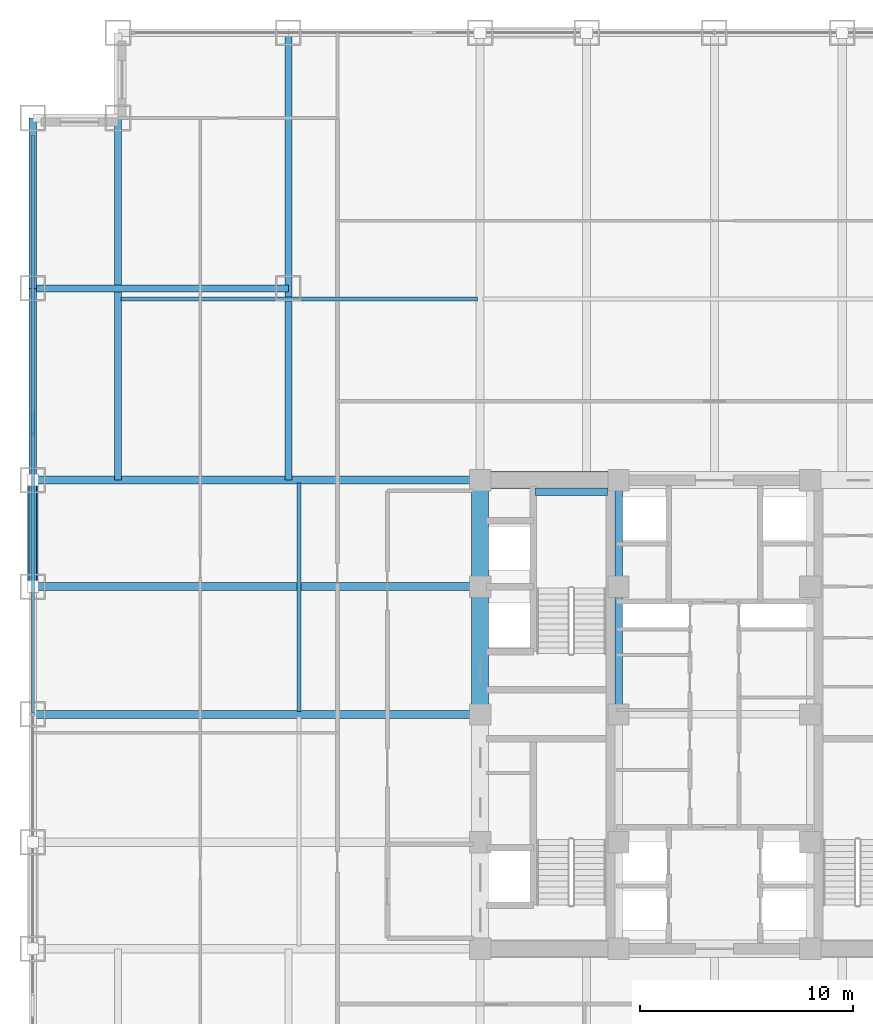
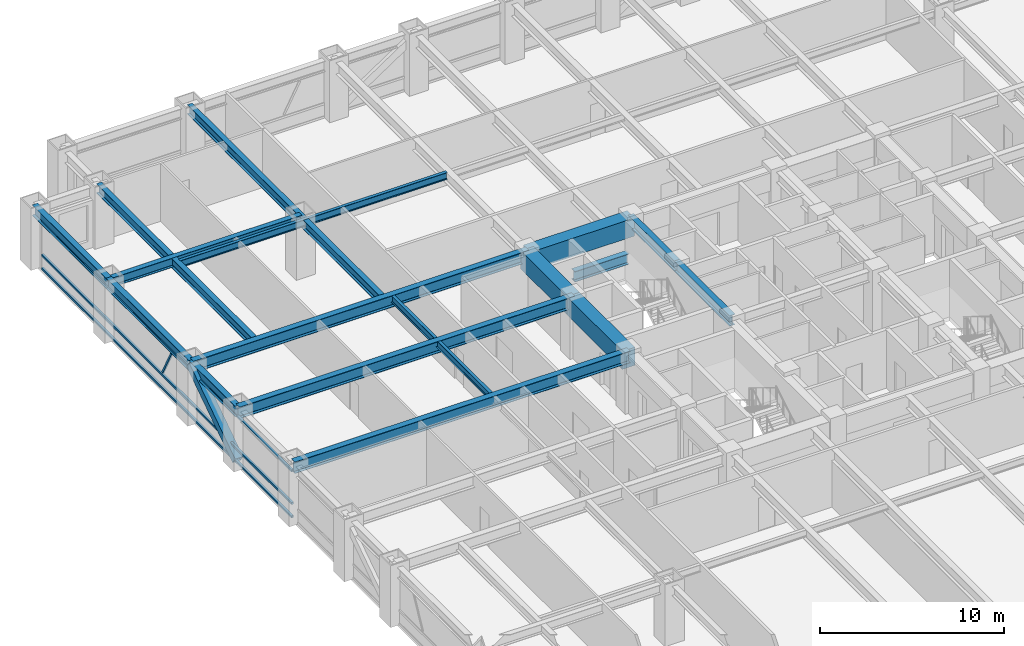
# One storey, part 9 of 27: 17 beams, 5 members, 1 element without a shape of its own.
"""IFC4 building model written with IfcOpenShell, lengths in metres."""

from ifc_helpers import new_model, si_unit, direction, frame, origin, origin_2d, place, context, subcontext, project, spatial, rectangle, hollow_rectangle, i_section, extrude, source, transform, mapped, material, material_profile, profile_set, type_object, element, aggregate, save


model = new_model("IFC4")

# Units and contexts
model_context = context("Model", 3, precision=1e-05, world=origin(), true_north=direction((0.0, 1.0)))
body_context = subcontext(model_context, "Body", "Model", "MODEL_VIEW")
ifc_project = project(units=[si_unit("LENGTHUNIT", "METRE"), si_unit("AREAUNIT", "SQUARE_METRE"), si_unit("VOLUMEUNIT", "CUBIC_METRE"), si_unit("PLANEANGLEUNIT", "RADIAN"), si_unit("MASSUNIT", "GRAM", prefix="KILO")], contexts=[model_context])

# Site, building, storey
site_placement = place(None, origin())
site = spatial("IfcSite", under=ifc_project, at=site_placement, CompositionType="ELEMENT")
building_placement = place(site_placement, origin())
building = spatial("IfcBuilding", under=site, at=building_placement, Name="Khorayat Bourse Tower", CompositionType="ELEMENT")
storey_placement = place(building_placement, frame((0.0, 0.0, 103.699951171875)))
storey = spatial("IfcBuildingStorey", under=building, at=storey_placement, Name="L23", CompositionType="ELEMENT", Elevation=103.699951171875)

# Beams
ifc_material_1 = material(Name="Concrete C72/90", Category="concrete")
ifc_material_profile_1 = material_profile(ifc_material_1, rectangle(XDim=0.800048828125, YDim=1.199951171875, at=origin_2d()), Name="RC 800x1200")
ifc_profile_set_1 = profile_set([ifc_material_profile_1], Name="Concrete C72/90")
beam_type_1 = type_object("IfcBeamType", Name="BM-COUP-1200", PredefinedType="BEAM", material=ifc_profile_set_1)
shared_shape_1 = source(origin(), body_context, "Body", "SweptSolid", [
    extrude(rectangle(XDim=0.800048828125, YDim=1.199951171875, at=origin_2d()), origin(), (0.0, 0.0, 1.0), 5.0),
])
beam_1_placement = place(storey_placement, frame((-11.0, 6.0, 3.239990234375), z_axis=(0.0, 1.0, 0.0), x_axis=(-1.0, 0.0, 0.0)))
element("IfcBeam", 1, at=beam_1_placement, inside=storey, type_object=beam_type_1, Name="L23 BM-COUP-1200 BM-L23-CRX-04", PredefinedType="BEAM", context=body_context, shape_type="MappedRepresentation", body=[
    mapped(shared_shape_1, transform((0.0, 0.0, 0.0), scale=1.0)),
])
shared_shape_2 = source(origin(), body_context, "Body", "SweptSolid", [
    extrude(rectangle(XDim=0.800048828125, YDim=1.199951171875, at=origin_2d()), origin(), (0.0, 0.0, 1.0), 6.0),
])
beam_2_placement = place(storey_placement, frame((-11.0, 0.0, 3.239990234375), z_axis=(0.0, 1.0, 0.0), x_axis=(-1.0, 0.0, 0.0)))
element("IfcBeam", 2, at=beam_2_placement, inside=storey, type_object=beam_type_1, Name="L23 BM-COUP-1200 BM-L23-CRX-03", PredefinedType="BEAM", context=body_context, shape_type="MappedRepresentation", body=[
    mapped(shared_shape_2, transform((0.0, 0.0, 0.0), scale=1.0)),
])
ifc_material_2 = material(Name="Steel ASTM A992 Grade 50", Category="steel")
ifc_material_profile_2 = material_profile(ifc_material_2, i_section(OverallWidth=0.35498046875, OverallDepth=0.695068359375, WebThickness=0.015380859375, FlangeThickness=0.02490234375, FilletRadius=0.01806640625, at=origin_2d()), Name="W690X217")
ifc_profile_set_2 = profile_set([ifc_material_profile_2], Name="Steel ASTM A992 Grade 50")
beam_type_2 = type_object("IfcBeamType", Name="BM-GIRD-690", PredefinedType="BEAM", material=ifc_profile_set_2)
shared_shape_3 = source(origin(), body_context, "Body", "SweptSolid", [
    extrude(i_section(OverallWidth=0.35498046875, OverallDepth=0.695068359375, WebThickness=0.015380859375, FlangeThickness=0.02490234375, FilletRadius=0.01806640625, at=origin_2d()), origin(), (0.0, 0.0, 1.0), 5.0),
])
beam_3_placement = place(storey_placement, frame((-4.5, 6.0, 3.492431640625), z_axis=(0.0, 1.0, 0.0), x_axis=(-1.0, 0.0, 0.0)))
element("IfcBeam", 3, at=beam_3_placement, inside=storey, type_object=beam_type_2, Name="L23 BM-GIRD-690 BM-L23-CRX-08", PredefinedType="BEAM", context=body_context, shape_type="MappedRepresentation", body=[
    mapped(shared_shape_3, transform((0.0, 0.0, 0.0), scale=1.0)),
])
shared_shape_4 = source(origin(), body_context, "Body", "SweptSolid", [
    extrude(i_section(OverallWidth=0.35498046875, OverallDepth=0.695068359375, WebThickness=0.015380859375, FlangeThickness=0.02490234375, FilletRadius=0.01806640625, at=origin_2d()), origin(), (0.0, 0.0, 1.0), 6.0),
])
beam_4_placement = place(storey_placement, frame((-4.5, 0.0, 3.492431640625), z_axis=(0.0, 1.0, 0.0), x_axis=(-1.0, 0.0, 0.0)))
element("IfcBeam", 4, at=beam_4_placement, inside=storey, type_object=beam_type_2, Name="L23 BM-GIRD-690 BM-L23-CRX-07", PredefinedType="BEAM", context=body_context, shape_type="MappedRepresentation", body=[
    mapped(shared_shape_4, transform((0.0, 0.0, 0.0), scale=1.0)),
])
shared_shape_5 = source(origin(), body_context, "Body", "SweptSolid", [
    extrude(rectangle(XDim=0.800048828125, YDim=1.199951171875, at=origin_2d()), origin(), (0.0, 0.0, 1.0), 6.5),
])
beam_5_placement = place(storey_placement, frame((-11.0, 11.0, 3.239990234375), z_axis=(1.0, 0.0, 0.0), x_axis=(0.0, 1.0, 0.0)))
element("IfcBeam", 5, at=beam_5_placement, inside=storey, type_object=beam_type_1, Name="L23 BM-COUP-1200 BM-L23-CRY-20", PredefinedType="BEAM", context=body_context, shape_type="MappedRepresentation", body=[
    mapped(shared_shape_5, transform((0.0, 0.0, 0.0), scale=1.0)),
])
shared_shape_6 = source(origin(), body_context, "Body", "SweptSolid", [
    extrude(i_section(OverallWidth=0.35498046875, OverallDepth=0.695068359375, WebThickness=0.015380859375, FlangeThickness=0.02490234375, FilletRadius=0.01806640625, at=origin_2d()), origin(), (0.0, 0.0, 1.0), 3.39990234375),
])
beam_6_placement = place(storey_placement, frame((-8.419921875, 10.449951171875, 1.50244140625), z_axis=(1.0, 0.0, 0.0), x_axis=(0.0, 1.0, 0.0)))
element("IfcBeam", 6, at=beam_6_placement, inside=storey, type_object=beam_type_2, Name="L23 BM-GIRD-690 BM-L23-ST2L", PredefinedType="BEAM", context=body_context, shape_type="MappedRepresentation", body=[
    mapped(shared_shape_6, transform((0.0, 0.0, 0.0), scale=1.0)),
])
ifc_material_profile_3 = material_profile(ifc_material_2, i_section(OverallWidth=0.35498046875, OverallDepth=0.695068359375, WebThickness=0.015380859375, FlangeThickness=0.02490234375, FilletRadius=0.01806640625, at=origin_2d()), Name="W690X217")
ifc_profile_set_3 = profile_set([ifc_material_profile_3], Name="Steel ASTM A992 Grade 50")
beam_type_3 = type_object("IfcBeamType", Name="BM-SPAN-690", PredefinedType="SPANDREL", material=ifc_profile_set_3)
shared_shape_7 = source(origin(), body_context, "Body", "SweptSolid", [
    extrude(i_section(OverallWidth=0.35498046875, OverallDepth=0.695068359375, WebThickness=0.015380859375, FlangeThickness=0.02490234375, FilletRadius=0.01806640625, at=origin_2d()), origin(), (0.0, 0.0, 1.0), 9.0),
])
beam_7_placement = place(storey_placement, frame((-32.0, 11.0, 3.492431640625), z_axis=(0.0, 1.0, 0.0), x_axis=(-1.0, 0.0, 0.0)))
element("IfcBeam", 7, at=beam_7_placement, inside=storey, type_object=beam_type_3, Name="L23 BM-SPAN-690 BM-L23-SPN-055", PredefinedType="SPANDREL", context=body_context, shape_type="MappedRepresentation", body=[
    mapped(shared_shape_7, transform((0.0, 0.0, 0.0), scale=1.0)),
])
shared_shape_8 = source(origin(), body_context, "Body", "SweptSolid", [
    extrude(i_section(OverallWidth=0.35498046875, OverallDepth=0.695068359375, WebThickness=0.015380859375, FlangeThickness=0.02490234375, FilletRadius=0.01806640625, at=origin_2d()), origin(), (0.0, 0.0, 1.0), 5.0),
])
beam_8_placement = place(storey_placement, frame((-32.0, 6.0, 3.492431640625), z_axis=(0.0, 1.0, 0.0), x_axis=(-1.0, 0.0, 0.0)))
element("IfcBeam", 8, at=beam_8_placement, inside=storey, type_object=beam_type_3, Name="L23 BM-SPAN-690 BM-L23-SPN-056", PredefinedType="SPANDREL", context=body_context, shape_type="MappedRepresentation", body=[
    mapped(shared_shape_8, transform((0.0, 0.0, 0.0), scale=1.0)),
])
ifc_material_profile_4 = material_profile(ifc_material_2, i_section(OverallWidth=0.324951171875, OverallDepth=0.615966796875, WebThickness=0.013916015625, FlangeThickness=0.021484375, FilletRadius=0.01611328125, at=origin_2d()), Name="W610X174")
ifc_profile_set_4 = profile_set([ifc_material_profile_4], Name="Steel ASTM A992 Grade 50")
beam_type_4 = type_object("IfcBeamType", Name="BM-GIRD-610", PredefinedType="BEAM", material=ifc_profile_set_4)
shared_shape_9 = source(origin(), body_context, "Body", "SweptSolid", [
    extrude(i_section(OverallWidth=0.324951171875, OverallDepth=0.615966796875, WebThickness=0.013916015625, FlangeThickness=0.021484375, FilletRadius=0.01611328125, at=origin_2d()), origin(), (0.0, 0.0, 1.0), 21.0),
])
beam_9_placement = place(storey_placement, frame((-20.0, 11.0, 3.531982421875), z_axis=(0.0, 1.0, 0.0), x_axis=(-1.0, 0.0, 0.0)))
element("IfcBeam", 9, at=beam_9_placement, inside=storey, type_object=beam_type_4, Name="L23 BM-GIRD-610 BM-L23-CNRY-085", PredefinedType="BEAM", context=body_context, shape_type="MappedRepresentation", body=[
    mapped(shared_shape_9, transform((0.0, 0.0, 0.0), scale=1.0)),
])
shared_shape_10 = source(origin(), body_context, "Body", "SweptSolid", [
    extrude(i_section(OverallWidth=0.324951171875, OverallDepth=0.615966796875, WebThickness=0.013916015625, FlangeThickness=0.021484375, FilletRadius=0.01611328125, at=origin_2d()), origin(), (0.0, 0.0, 1.0), 12.0),
])
beam_10_placement = place(storey_placement, frame((-32.0, 20.0, 3.531982421875), z_axis=(1.0, 0.0, 0.0), x_axis=(0.0, 1.0, 0.0)))
element("IfcBeam", 10, at=beam_10_placement, inside=storey, type_object=beam_type_4, Name="L23 BM-GIRD-610 BM-L23-CNRX-095", PredefinedType="BEAM", context=body_context, shape_type="MappedRepresentation", body=[
    mapped(shared_shape_10, transform((0.0, 0.0, 0.0), scale=1.0)),
])
ifc_material_profile_5 = material_profile(ifc_material_2, i_section(OverallWidth=0.194091796875, OverallDepth=0.468994140625, WebThickness=0.0126953125, FlangeThickness=0.0205078125, FilletRadius=0.012939453125, at=origin_2d()), Name="W460X106")
ifc_profile_set_5 = profile_set([ifc_material_profile_5], Name="Steel ASTM A992 Grade 50")
beam_type_5 = type_object("IfcBeamType", Name="BM-JOIST-460", PredefinedType="JOIST", material=ifc_profile_set_5)
shared_shape_11 = source(origin(), body_context, "Body", "SweptSolid", [
    extrude(i_section(OverallWidth=0.194091796875, OverallDepth=0.468994140625, WebThickness=0.0126953125, FlangeThickness=0.0205078125, FilletRadius=0.012939453125, at=origin_2d()), origin(), (0.0, 0.0, 1.0), 10.740234375),
])
beam_11_placement = place(storey_placement, frame((-19.5, 0.1298828125, 3.60546875), z_axis=(0.0, 1.0, 0.0), x_axis=(-1.0, 0.0, 0.0)))
element("IfcBeam", 11, at=beam_11_placement, inside=storey, type_object=beam_type_5, Name="L23 BM-JOIST-460 BM-L23-JSTY-103", PredefinedType="JOIST", context=body_context, shape_type="MappedRepresentation", body=[
    mapped(shared_shape_11, transform((0.0, 0.0, 0.0), scale=1.0)),
])
shared_shape_12 = source(origin(), body_context, "Body", "SweptSolid", [
    extrude(i_section(OverallWidth=0.35498046875, OverallDepth=0.695068359375, WebThickness=0.015380859375, FlangeThickness=0.02490234375, FilletRadius=0.01806640625, at=origin_2d()), origin(), (0.0, 0.0, 1.0), 8.0),
])
beam_12_placement = place(storey_placement, frame((-32.0, 20.0, 3.492431640625), z_axis=(0.0, 1.0, 0.0), x_axis=(-1.0, 0.0, 0.0)))
element("IfcBeam", 12, at=beam_12_placement, inside=storey, type_object=beam_type_3, Name="L23 BM-SPAN-690 BM-L23-SPN-054", PredefinedType="SPANDREL", context=body_context, shape_type="MappedRepresentation", body=[
    mapped(shared_shape_12, transform((0.0, 0.0, 0.0), scale=1.0)),
])
ifc_material_profile_6 = material_profile(ifc_material_2, i_section(OverallWidth=0.381103515625, OverallDepth=0.77294921875, WebThickness=0.0166015625, FlangeThickness=0.027587890625, FilletRadius=0.01806640625, at=origin_2d()), Name="W760X257")
ifc_profile_set_6 = profile_set([ifc_material_profile_6], Name="Steel ASTM A992 Grade 50")
beam_type_6 = type_object("IfcBeamType", Name="BM-GIRD-760", PredefinedType="BEAM", material=ifc_profile_set_6)
shared_shape_13 = source(origin(), body_context, "Body", "SweptSolid", [
    extrude(i_section(OverallWidth=0.381103515625, OverallDepth=0.77294921875, WebThickness=0.0166015625, FlangeThickness=0.027587890625, FilletRadius=0.01806640625, at=origin_2d()), origin(), (0.0, 0.0, 1.0), 21.0),
])
for number, where, z_axis, x_axis, name in (
    (13, (-32.0, 0.0, 3.45361328125), (1.0, 0.0, 0.0), (0.0, 1.0, 0.0), "L23 BM-GIRD-760 BM-L23-RADX-079"),
    (14, (-32.0, 6.0, 3.45361328125), (1.0, 0.0, 0.0), (0.0, 1.0, 0.0), "L23 BM-GIRD-760 BM-L23-RADX-081"),
    (15, (-32.0, 11.0, 3.45361328125), (1.0, 0.0, 0.0), (0.0, 1.0, 0.0), "L23 BM-GIRD-760 BM-L23-RADX-083"),
):
    element("IfcBeam", number, at=place(storey_placement, frame(where, z_axis=z_axis, x_axis=x_axis)), inside=storey, type_object=beam_type_6, Name=name, PredefinedType="BEAM", context=body_context, shape_type="MappedRepresentation", body=[
        mapped(shared_shape_13, transform((0.0, 0.0, 0.0), scale=1.0)),
    ])
shared_shape_14 = source(origin(), body_context, "Body", "SweptSolid", [
    extrude(i_section(OverallWidth=0.324951171875, OverallDepth=0.615966796875, WebThickness=0.013916015625, FlangeThickness=0.021484375, FilletRadius=0.01611328125, at=origin_2d()), origin(), (0.0, 0.0, 1.0), 17.0),
])
beam_13_placement = place(storey_placement, frame((-28.0, 11.0, 3.531982421875), z_axis=(0.0, 1.0, 0.0), x_axis=(-1.0, 0.0, 0.0)))
element("IfcBeam", 16, at=beam_13_placement, inside=storey, type_object=beam_type_4, Name="L23 BM-GIRD-610 BM-L23-CNRY-089", PredefinedType="BEAM", context=body_context, shape_type="MappedRepresentation", body=[
    mapped(shared_shape_14, transform((0.0, 0.0, 0.0), scale=1.0)),
])
shared_shape_15 = source(origin(), body_context, "Body", "SweptSolid", [
    extrude(i_section(OverallWidth=0.194091796875, OverallDepth=0.468994140625, WebThickness=0.0126953125, FlangeThickness=0.0205078125, FilletRadius=0.012939453125, at=origin_2d()), origin(), (0.0, 0.0, 1.0), 16.740234375),
])
beam_14_placement = place(storey_placement, frame((-27.8701171875, 19.5, 3.60546875), z_axis=(1.0, 0.0, 0.0), x_axis=(0.0, 1.0, 0.0)))
element("IfcBeam", 17, at=beam_14_placement, inside=storey, type_object=beam_type_5, Name="L23 BM-JOIST-460 BM-L23-JSTX-099", PredefinedType="JOIST", context=body_context, shape_type="MappedRepresentation", body=[
    mapped(shared_shape_15, transform((0.0, 0.0, 0.0), scale=1.0)),
])

# Member
ifc_material_3 = material(Name="Steel EN 10025-4 S460M", Category="steel")
ifc_material_profile_7 = material_profile(ifc_material_3, hollow_rectangle(XDim=0.5, YDim=0.5, WallThickness=0.028076171875, at=origin_2d()), Name="HSS 500x500x28")
ifc_profile_set_7 = profile_set([ifc_material_profile_7], Name="Steel EN 10025-4 S460M")
member_type_1 = type_object("IfcMemberType", Name="MBR-TUBE-500", PredefinedType="BRACE", material=ifc_profile_set_7)
shared_shape_16 = source(origin(), body_context, "Body", "SweptSolid", [
    extrude(hollow_rectangle(XDim=0.5, YDim=0.5, WallThickness=0.028076171875, at=origin_2d()), origin(), (0.0, 0.0, 1.0), 6.012939453125),
])
member_1_placement = place(storey_placement, frame((-32.0, 6.0, 0.25), z_axis=(0.0, 0.831531473026, 0.555477640745), x_axis=(-1.0, 0.0, 0.0)))
element("IfcMember", 18, at=member_1_placement, inside=storey, type_object=member_type_1, Name="L23 Perimeter Tube Brace 06", PredefinedType="BRACE", context=body_context, shape_type="MappedRepresentation", body=[
    mapped(shared_shape_16, transform((0.0, 0.0, 0.0), scale=1.0)),
])

# Curtain wall, members
ifc_material_4 = material(Name="Aluminium EN AW-6063 T6", Category="aluminium")
curtain_wall_type = type_object("IfcCurtainWallType", Name="CW-SYS-02", PredefinedType="NOTDEFINED", material=ifc_material_4)
curtain_wall_placement = place(storey_placement, origin())
curtain_wall = element("IfcCurtainWall", 19, at=curtain_wall_placement, inside=storey, type_object=curtain_wall_type, Name="L23 Curtain Wall CW-L23-W1", PredefinedType="NOTDEFINED")
ifc_material_profile_8 = material_profile(ifc_material_4, hollow_rectangle(XDim=0.139892578125, YDim=0.139892578125, WallThickness=0.006103515625, at=origin_2d()), Name="ALU 140x140x6")
ifc_profile_set_8 = profile_set([ifc_material_profile_8], Name="Aluminium EN AW-6063 T6")
member_type_2 = type_object("IfcMemberType", Name="CWT-HORZ-140", PredefinedType="USERDEFINED", material=ifc_profile_set_8)
shared_shape_17 = source(origin(), body_context, "Body", "SweptSolid", [
    extrude(hollow_rectangle(XDim=0.139892578125, YDim=0.139892578125, WallThickness=0.006103515625, at=origin_2d()), origin(), (0.0, 0.0, 1.0), 27.139892578125),
])
member_2_placement = place(storey_placement, frame((-32.0, 0.070068359375, 0.070068359375), z_axis=(0.0, 1.0, 0.0), x_axis=(-1.0, 0.0, 0.0)))
member_2 = element("IfcMember", 20, at=member_2_placement, type_object=member_type_2, Name="CW-L23-W1 Horizontal Transom 2-1", ObjectType="TRANSOM", PredefinedType="USERDEFINED", context=body_context, shape_type="MappedRepresentation", body=[
    mapped(shared_shape_17, transform((0.0, 0.0, 0.0), scale=1.0)),
])
member_3_placement = place(storey_placement, frame((-32.0, 0.070068359375, 0.949951171875), z_axis=(0.0, 1.0, 0.0), x_axis=(-1.0, 0.0, 0.0)))
member_3 = element("IfcMember", 21, at=member_3_placement, type_object=member_type_2, Name="CW-L23-W1 Horizontal Transom 2-2", ObjectType="TRANSOM", PredefinedType="USERDEFINED", context=body_context, shape_type="MappedRepresentation", body=[
    mapped(shared_shape_17, transform((0.0, 0.0, 0.0), scale=1.0)),
])
member_4_placement = place(storey_placement, frame((-32.0, 0.070068359375, 3.1201171875), z_axis=(0.0, 1.0, 0.0), x_axis=(-1.0, 0.0, 0.0)))
member_4 = element("IfcMember", 22, at=member_4_placement, type_object=member_type_2, Name="CW-L23-W1 Horizontal Transom 2-3", ObjectType="TRANSOM", PredefinedType="USERDEFINED", context=body_context, shape_type="MappedRepresentation", body=[
    mapped(shared_shape_17, transform((0.0, 0.0, 0.0), scale=1.0)),
])
ifc_material_profile_9 = material_profile(ifc_material_4, hollow_rectangle(XDim=0.1201171875, YDim=0.1201171875, WallThickness=0.0048828125, at=origin_2d()), Name="ALU 120x120x5")
ifc_profile_set_9 = profile_set([ifc_material_profile_9], Name="Aluminium EN AW-6063 T6")
member_type_3 = type_object("IfcMemberType", Name="CWM-DIAG-120", PredefinedType="MULLION", material=ifc_profile_set_9)
shared_shape_18 = source(origin(), body_context, "Body", "SweptSolid", [
    extrude(hollow_rectangle(XDim=0.1201171875, YDim=0.1201171875, WallThickness=0.0048828125, at=origin_2d()), origin(), (0.0, 0.0, 1.0), 2.113037109375),
])
member_5_placement = place(storey_placement, frame((-32.0, 14.132080078125, 1.10009765625), z_axis=(0.0, -0.465741670874, 0.884920728659), x_axis=(1.0, 0.0, 0.0)))
member_5 = element("IfcMember", 23, at=member_5_placement, type_object=member_type_3, Name="CW-L23-W1 Faceted Diagonal Mullion 2", PredefinedType="MULLION", context=body_context, shape_type="MappedRepresentation", body=[
    mapped(shared_shape_18, transform((0.0, 0.0, 0.0), scale=1.0)),
])
aggregate(curtain_wall, [member_2, member_3, member_4, member_5])

save(model, "model.ifc")
